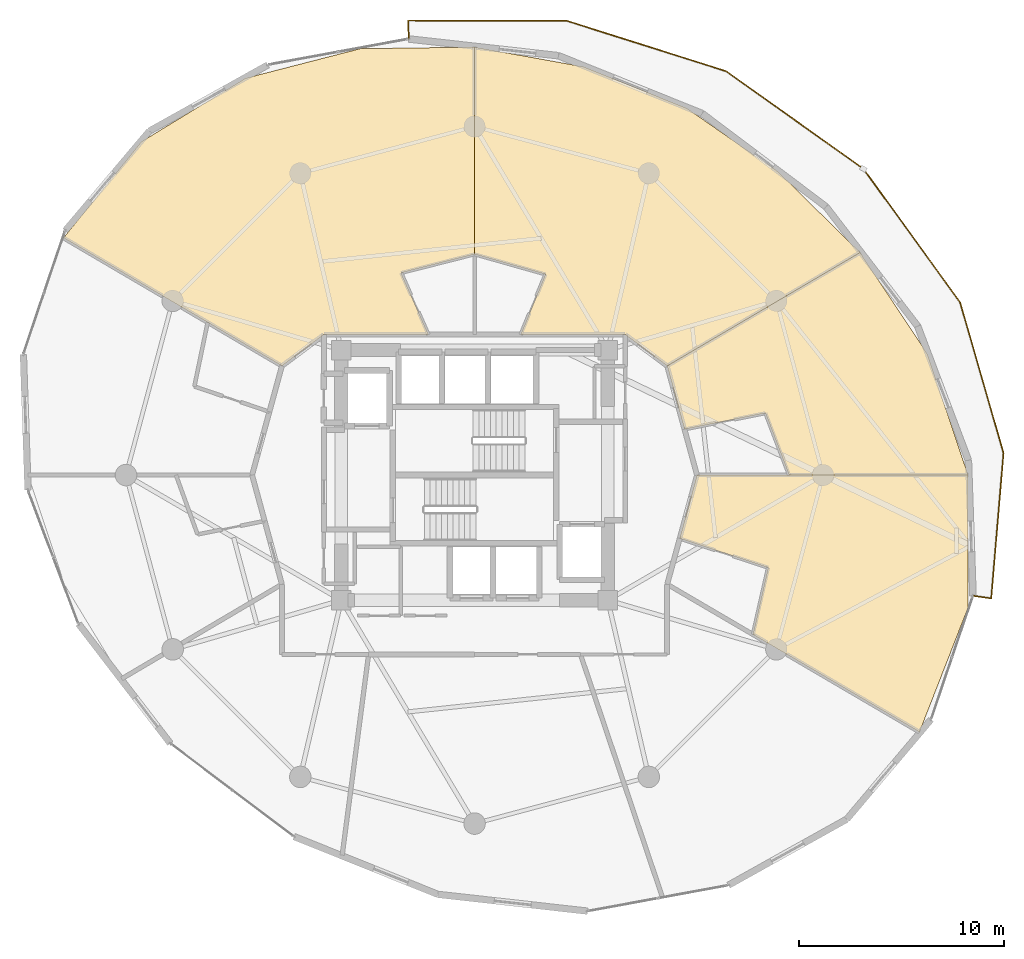
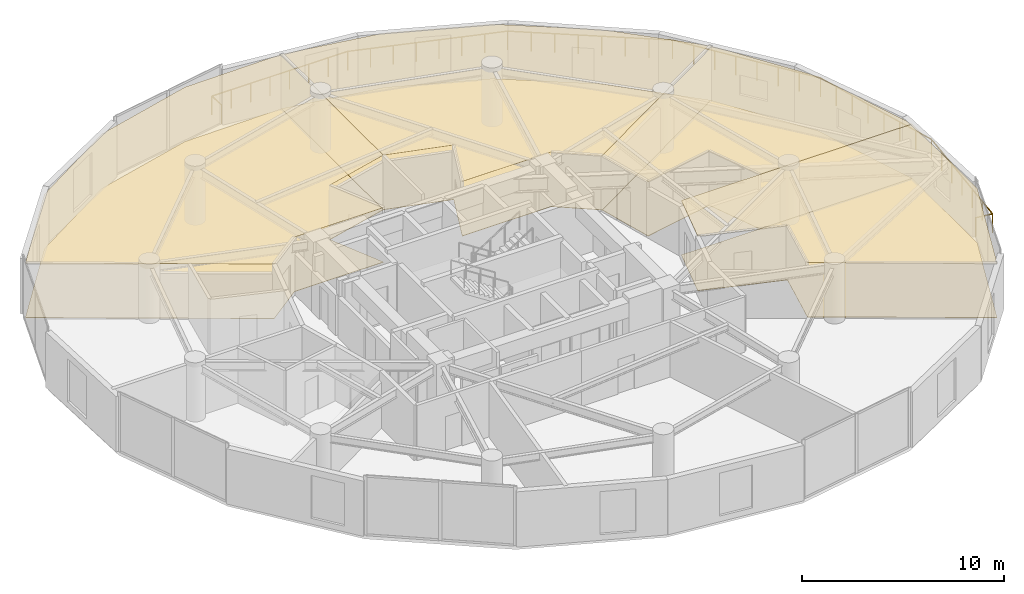
# One storey, part 23 of 23: 8 coverings, 1 railing.
"""IFC4 building model written with IfcOpenShell, lengths in metres."""

from ifc_helpers import new_model, si_unit, direction, frame, origin, origin_2d, place, context, subcontext, project, spatial, polyline, circle, outline, extrude, material, layer, layer_set, type_object, element, save


model = new_model("IFC4")

# Units and contexts
model_context = context("Model", 3, precision=1e-05, world=origin(), true_north=direction((0.0, 1.0)))
body_context = subcontext(model_context, "Body", "Model", "MODEL_VIEW")
ifc_project = project(units=[si_unit("LENGTHUNIT", "METRE"), si_unit("AREAUNIT", "SQUARE_METRE"), si_unit("VOLUMEUNIT", "CUBIC_METRE"), si_unit("PLANEANGLEUNIT", "RADIAN"), si_unit("MASSUNIT", "GRAM", prefix="KILO")], contexts=[model_context])

# Site, building, storey
site_placement = place(None, origin())
site = spatial("IfcSite", under=ifc_project, at=site_placement, CompositionType="ELEMENT")
building_placement = place(site_placement, origin())
building = spatial("IfcBuilding", under=site, at=building_placement, Name="Solvirekh Grand Hotel", CompositionType="ELEMENT")
storey_placement = place(building_placement, frame((0.0, 0.0, 109.800048828125)))
storey = spatial("IfcBuildingStorey", under=building, at=storey_placement, Name="L27", CompositionType="ELEMENT", Elevation=109.800048828125)

# Coverings
ifc_material_1 = material(Name="Acoustic Mineral Ceiling Tile")
ifc_layer_1 = layer(ifc_material_1, 0.02490234375)
ifc_layer_set_1 = layer_set([ifc_layer_1], Name="Acoustic Mineral Ceiling Tile")
covering_type_1 = type_object("IfcCoveringType", Name="Cov_Ceiling_Acoustic", PredefinedType="CEILING", material=ifc_layer_set_1)
covering_1_placement = place(storey_placement, frame((0.0, 0.0, 3.300048828125)))
element("IfcCovering", 1, at=covering_1_placement, inside=storey, type_object=covering_type_1, Name="L27 Panorama Suite 2901 acoustic ceiling", PredefinedType="CEILING", context=body_context, shape_type="SweptSolid", body=[
    extrude(outline(polyline([(0.0, 10.77587890625), (3.462890625, 9.794921875), (2.25, 6.85009765625), (7.35009765625, 6.85009765625), (9.39599609375, 5.324951171875), (18.804931640625, 10.85693359375), (14.801025390625, 14.801025390625), (10.3349609375, 17.90087890625), (5.3349609375, 19.910888671875), (0.0, 20.873046875), (0.0, 10.77587890625)])), origin(), (0.0, 0.0, 1.0), 0.017822265625),
])
covering_2_placement = place(storey_placement, frame((0.0, 0.0, 3.300048828125)))
element("IfcCovering", 2, at=covering_2_placement, inside=storey, type_object=covering_type_1, Name="L27 Panorama Suite 2902 acoustic ceiling", PredefinedType="CEILING", context=body_context, shape_type="SweptSolid", body=[
    extrude(outline(polyline([(-2.25, 6.85009765625), (-3.583984375, 9.864990234375), (0.0, 10.77587890625), (0.0, 20.873046875), (-5.572998046875, 20.798095703125), (-11.174072265625, 19.35400390625), (-16.2548828125, 16.2548828125), (-20.044921875, 11.572998046875), (-9.39599609375, 5.324951171875), (-7.35009765625, 6.85009765625), (-2.25, 6.85009765625)])), origin(), (0.0, 0.0, 1.0), 0.017822265625),
])
covering_3_placement = place(storey_placement, frame((0.0, 0.0, 3.300048828125)))
element("IfcCovering", 3, at=covering_3_placement, inside=storey, type_object=covering_type_1, Name="L27 Deluxe Guestroom 2905 acoustic ceiling", PredefinedType="CEILING", context=body_context, shape_type="SweptSolid", body=[
    extrude(outline(polyline([(14.322021484375, -4.510009765625), (13.580078125, -7.77490234375), (21.701904296875, -12.530029296875), (24.076904296875, -6.451904296875), (24.071044921875, 0.0), (10.85009765625, 0.0), (10.007080078125, -3.089111328125), (14.322021484375, -4.510009765625)])), origin(), (0.0, 0.0, 1.0), 0.017822265625),
])
covering_4_placement = place(storey_placement, frame((0.0, 0.0, 3.300048828125)))
element("IfcCovering", 4, at=covering_4_placement, inside=storey, type_object=covering_type_1, Name="L27 Deluxe Guestroom 2906 acoustic ceiling", PredefinedType="CEILING", context=body_context, shape_type="SweptSolid", body=[
    extrude(outline(polyline([(14.18994140625, 3.02587890625), (15.344970703125, 0.0), (24.071044921875, 0.0), (22.0810546875, 5.916015625), (18.804931640625, 10.85693359375), (9.39599609375, 5.324951171875), (10.239013671875, 2.236083984375), (14.18994140625, 3.02587890625)])), origin(), (0.0, 0.0, 1.0), 0.017822265625),
])
ifc_material_2 = material(Name="Porcelain Stoneware Flooring", Category="masonry")
ifc_layer_2 = layer(ifc_material_2, 0.030029296875)
ifc_layer_set_2 = layer_set([ifc_layer_2], Name="Porcelain Stoneware Flooring")
covering_type_2 = type_object("IfcCoveringType", Name="Cov_Floor_Stone", PredefinedType="FLOORING", material=ifc_layer_set_2)
covering_5_placement = place(storey_placement, origin())
element("IfcCovering", 5, at=covering_5_placement, inside=storey, type_object=covering_type_2, Name="L27 Panorama Suite 2901 polished granite flooring", PredefinedType="FLOORING", context=body_context, shape_type="SweptSolid", body=[
    extrude(outline(polyline([(0.0, 10.77587890625), (3.462890625, 9.794921875), (2.25, 6.85009765625), (7.35009765625, 6.85009765625), (9.39599609375, 5.324951171875), (18.804931640625, 10.85693359375), (14.801025390625, 14.801025390625), (10.3349609375, 17.90087890625), (5.3349609375, 19.910888671875), (0.0, 20.873046875), (0.0, 10.77587890625)])), origin(), (0.0, 0.0, 1.0), 0.02001953125),
])
covering_6_placement = place(storey_placement, origin())
element("IfcCovering", 6, at=covering_6_placement, inside=storey, type_object=covering_type_2, Name="L27 Panorama Suite 2902 polished granite flooring", PredefinedType="FLOORING", context=body_context, shape_type="SweptSolid", body=[
    extrude(outline(polyline([(-2.25, 6.85009765625), (-3.583984375, 9.864990234375), (0.0, 10.77587890625), (0.0, 20.873046875), (-5.572998046875, 20.798095703125), (-11.174072265625, 19.35400390625), (-16.2548828125, 16.2548828125), (-20.044921875, 11.572998046875), (-9.39599609375, 5.324951171875), (-7.35009765625, 6.85009765625), (-2.25, 6.85009765625)])), origin(), (0.0, 0.0, 1.0), 0.02001953125),
])
covering_7_placement = place(storey_placement, origin())
element("IfcCovering", 7, at=covering_7_placement, inside=storey, type_object=covering_type_2, Name="L27 Deluxe Guestroom 2905 polished granite flooring", PredefinedType="FLOORING", context=body_context, shape_type="SweptSolid", body=[
    extrude(outline(polyline([(14.322021484375, -4.510009765625), (13.580078125, -7.77490234375), (21.701904296875, -12.530029296875), (24.076904296875, -6.451904296875), (24.071044921875, 0.0), (10.85009765625, 0.0), (10.007080078125, -3.089111328125), (14.322021484375, -4.510009765625)])), origin(), (0.0, 0.0, 1.0), 0.02001953125),
])
covering_8_placement = place(storey_placement, origin())
element("IfcCovering", 8, at=covering_8_placement, inside=storey, type_object=covering_type_2, Name="L27 Deluxe Guestroom 2906 polished granite flooring", PredefinedType="FLOORING", context=body_context, shape_type="SweptSolid", body=[
    extrude(outline(polyline([(14.18994140625, 3.02587890625), (15.344970703125, 0.0), (24.071044921875, 0.0), (22.0810546875, 5.916015625), (18.804931640625, 10.85693359375), (9.39599609375, 5.324951171875), (10.239013671875, 2.236083984375), (14.18994140625, 3.02587890625)])), origin(), (0.0, 0.0, 1.0), 0.02001953125),
])

# Railing
ifc_material_3 = material(Name="Anodized Bronze Aluminium 6063-T6", Category="aluminium")
railing_type = type_object("IfcRailingType", Name="Guard_ExtGlass_1150", PredefinedType="BALUSTRADE", material=ifc_material_3)
railing_placement = place(storey_placement, frame((24.31103515625, -5.885986328125, 0.0)))
element("IfcRailing", 9, at=railing_placement, inside=storey, type_object=railing_type, Name="L27 balc perimeter glass balustrade", PredefinedType="BALUSTRADE", context=body_context, shape_type="SweptSolid", body=[
    extrude(circle(Radius=0.02392578125, at=origin_2d()), frame((0.0, 0.0, 1.1259765625), z_axis=(0.989846149973, -0.14214288369, 0.0), x_axis=(0.14214288369, 0.989846149973, 0.0)), (0.0, 0.0, 1.0), 0.89990234375),
    extrude(circle(Radius=0.02392578125, at=origin_2d()), frame((0.890869140625, -0.1279296875, 1.1259765625), z_axis=(0.084090739462, 0.996458101245, 0.0), x_axis=(-0.996458101245, 0.084090739462, 0.0)), (0.0, 0.0, 1.0), 7.113037109375),
    extrude(circle(Radius=0.02392578125, at=origin_2d()), frame((1.489013671875, 6.9599609375, 1.1259765625), z_axis=(-0.276681142751, 0.960961781366, 0.0), x_axis=(-0.960961781366, -0.276681142751, 0.0)), (0.0, 0.0, 1.0), 7.647705078125),
    extrude(circle(Radius=0.02392578125, at=origin_2d()), frame((-0.626953125, 14.30908203125, 1.1259765625), z_axis=(-0.586320293879, 0.810079325119, 0.0), x_axis=(-0.810079325119, -0.586320293879, 0.0)), (0.0, 0.0, 1.0), 8.04345703125),
    extrude(circle(Radius=0.02392578125, at=origin_2d()), frame((-5.343017578125, 20.824951171875, 1.1259765625), z_axis=(-0.815056008737, 0.579382173199, 0.0), x_axis=(-0.579382173199, -0.815056008737, 0.0)), (0.0, 0.0, 1.0), 8.218994140625),
    extrude(circle(Radius=0.02392578125, at=origin_2d()), frame((-12.0419921875, 25.5869140625, 1.1259765625), z_axis=(-0.953469536427, 0.301489374781, 0.0), x_axis=(-0.301489374781, -0.953469536427, 0.0)), (0.0, 0.0, 1.0), 8.126220703125),
    extrude(circle(Radius=0.02392578125, at=origin_2d()), frame((-19.7900390625, 28.036865234375, 1.1259765625), z_axis=(-0.999995901682, 0.002862973952, 0.0), x_axis=(-0.002862973952, -0.999995901682, 0.0)), (0.0, 0.0, 1.0), 7.760009765625),
    extrude(circle(Radius=0.02392578125, at=origin_2d()), frame((-27.550048828125, 28.05908203125, 1.1259765625), z_axis=(0.031175508938, -0.999513925687, 0.0), x_axis=(0.999513925687, 0.031175508938, 0.0)), (0.0, 0.0, 1.0), 0.900634765625),
    extrude(circle(Radius=0.02099609375, at=origin_2d()), origin(), (0.0, 0.0, 1.0), 1.101806640625),
    extrude(circle(Radius=0.02099609375, at=origin_2d()), frame((0.890869140625, -0.1279296875, 0.0)), (0.0, 0.0, 1.0), 1.101806640625),
    extrude(circle(Radius=0.02099609375, at=origin_2d()), frame((0.990478515625, 1.053466796875, 0.0)), (0.0, 0.0, 1.0), 1.101806640625),
    extrude(circle(Radius=0.02099609375, at=origin_2d()), frame((1.09033203125, 2.234619140625, 0.0)), (0.0, 0.0, 1.0), 1.101806640625),
    extrude(circle(Radius=0.02099609375, at=origin_2d()), frame((1.18994140625, 3.416015625, 0.0)), (0.0, 0.0, 1.0), 1.101806640625),
    extrude(circle(Radius=0.02099609375, at=origin_2d()), frame((1.28955078125, 4.597412109375, 0.0)), (0.0, 0.0, 1.0), 1.101806640625),
    extrude(circle(Radius=0.02099609375, at=origin_2d()), frame((1.389404296875, 5.778564453125, 0.0)), (0.0, 0.0, 1.0), 1.101806640625),
    extrude(circle(Radius=0.02099609375, at=origin_2d()), frame((1.489013671875, 6.9599609375, 0.0)), (0.0, 0.0, 1.0), 1.101806640625),
    extrude(circle(Radius=0.02099609375, at=origin_2d()), frame((1.186767578125, 8.009765625, 0.0)), (0.0, 0.0, 1.0), 1.101806640625),
    extrude(circle(Radius=0.02099609375, at=origin_2d()), frame((0.884521484375, 9.059814453125, 0.0)), (0.0, 0.0, 1.0), 1.101806640625),
    extrude(circle(Radius=0.02099609375, at=origin_2d()), frame((0.582275390625, 10.109619140625, 0.0)), (0.0, 0.0, 1.0), 1.101806640625),
    extrude(circle(Radius=0.02099609375, at=origin_2d()), frame((0.27978515625, 11.159423828125, 0.0)), (0.0, 0.0, 1.0), 1.101806640625),
    extrude(circle(Radius=0.02099609375, at=origin_2d()), frame((-0.0224609375, 12.209228515625, 0.0)), (0.0, 0.0, 1.0), 1.101806640625),
    extrude(circle(Radius=0.02099609375, at=origin_2d()), frame((-0.32470703125, 13.25927734375, 0.0)), (0.0, 0.0, 1.0), 1.101806640625),
    extrude(circle(Radius=0.02099609375, at=origin_2d()), frame((-0.626953125, 14.30908203125, 0.0)), (0.0, 0.0, 1.0), 1.101806640625),
    extrude(circle(Radius=0.02099609375, at=origin_2d()), frame((-1.30078125, 15.239990234375, 0.0)), (0.0, 0.0, 1.0), 1.101806640625),
    extrude(circle(Radius=0.02099609375, at=origin_2d()), frame((-1.974365234375, 16.170654296875, 0.0)), (0.0, 0.0, 1.0), 1.101806640625),
    extrude(circle(Radius=0.02099609375, at=origin_2d()), frame((-2.648193359375, 17.1015625, 0.0)), (0.0, 0.0, 1.0), 1.101806640625),
    extrude(circle(Radius=0.02099609375, at=origin_2d()), frame((-3.32177734375, 18.032470703125, 0.0)), (0.0, 0.0, 1.0), 1.101806640625),
    extrude(circle(Radius=0.02099609375, at=origin_2d()), frame((-3.99560546875, 18.96337890625, 0.0)), (0.0, 0.0, 1.0), 1.101806640625),
    extrude(circle(Radius=0.02099609375, at=origin_2d()), frame((-4.669189453125, 19.89404296875, 0.0)), (0.0, 0.0, 1.0), 1.101806640625),
    extrude(circle(Radius=0.02099609375, at=origin_2d()), frame((-5.343017578125, 20.824951171875, 0.0)), (0.0, 0.0, 1.0), 1.101806640625),
    extrude(circle(Radius=0.02099609375, at=origin_2d()), frame((-6.300048828125, 21.505126953125, 0.0)), (0.0, 0.0, 1.0), 1.101806640625),
    extrude(circle(Radius=0.02099609375, at=origin_2d()), frame((-7.257080078125, 22.185546875, 0.0)), (0.0, 0.0, 1.0), 1.101806640625),
    extrude(circle(Radius=0.02099609375, at=origin_2d()), frame((-8.214111328125, 22.86572265625, 0.0)), (0.0, 0.0, 1.0), 1.101806640625),
    extrude(circle(Radius=0.02099609375, at=origin_2d()), frame((-9.1708984375, 23.546142578125, 0.0)), (0.0, 0.0, 1.0), 1.101806640625),
    extrude(circle(Radius=0.02099609375, at=origin_2d()), frame((-10.1279296875, 24.226318359375, 0.0)), (0.0, 0.0, 1.0), 1.101806640625),
    extrude(circle(Radius=0.02099609375, at=origin_2d()), frame((-11.0849609375, 24.90673828125, 0.0)), (0.0, 0.0, 1.0), 1.101806640625),
    extrude(circle(Radius=0.02099609375, at=origin_2d()), frame((-12.0419921875, 25.5869140625, 0.0)), (0.0, 0.0, 1.0), 1.101806640625),
    extrude(circle(Radius=0.02099609375, at=origin_2d()), frame((-13.14892578125, 25.93701171875, 0.0)), (0.0, 0.0, 1.0), 1.101806640625),
    extrude(circle(Radius=0.02099609375, at=origin_2d()), frame((-14.255615234375, 26.286865234375, 0.0)), (0.0, 0.0, 1.0), 1.101806640625),
    extrude(circle(Radius=0.02099609375, at=origin_2d()), frame((-15.362548828125, 26.636962890625, 0.0)), (0.0, 0.0, 1.0), 1.101806640625),
    extrude(circle(Radius=0.02099609375, at=origin_2d()), frame((-16.469482421875, 26.98681640625, 0.0)), (0.0, 0.0, 1.0), 1.101806640625),
    extrude(circle(Radius=0.02099609375, at=origin_2d()), frame((-17.576416015625, 27.3369140625, 0.0)), (0.0, 0.0, 1.0), 1.101806640625),
    extrude(circle(Radius=0.02099609375, at=origin_2d()), frame((-18.68310546875, 27.686767578125, 0.0)), (0.0, 0.0, 1.0), 1.101806640625),
    extrude(circle(Radius=0.02099609375, at=origin_2d()), frame((-19.7900390625, 28.036865234375, 0.0)), (0.0, 0.0, 1.0), 1.101806640625),
    extrude(circle(Radius=0.02099609375, at=origin_2d()), frame((-20.898681640625, 28.0400390625, 0.0)), (0.0, 0.0, 1.0), 1.101806640625),
    extrude(circle(Radius=0.02099609375, at=origin_2d()), frame((-22.007080078125, 28.043212890625, 0.0)), (0.0, 0.0, 1.0), 1.101806640625),
    extrude(circle(Radius=0.02099609375, at=origin_2d()), frame((-23.11572265625, 28.04638671875, 0.0)), (0.0, 0.0, 1.0), 1.101806640625),
    extrude(circle(Radius=0.02099609375, at=origin_2d()), frame((-24.224365234375, 28.049560546875, 0.0)), (0.0, 0.0, 1.0), 1.101806640625),
    extrude(circle(Radius=0.02099609375, at=origin_2d()), frame((-25.3330078125, 28.052734375, 0.0)), (0.0, 0.0, 1.0), 1.101806640625),
    extrude(circle(Radius=0.02099609375, at=origin_2d()), frame((-26.44140625, 28.055908203125, 0.0)), (0.0, 0.0, 1.0), 1.101806640625),
    extrude(circle(Radius=0.02099609375, at=origin_2d()), frame((-27.550048828125, 28.05908203125, 0.0)), (0.0, 0.0, 1.0), 1.101806640625),
    extrude(circle(Radius=0.02099609375, at=origin_2d()), frame((-27.52197265625, 27.158935546875, 0.0)), (0.0, 0.0, 1.0), 1.101806640625),
])

save(model, "model.ifc")
